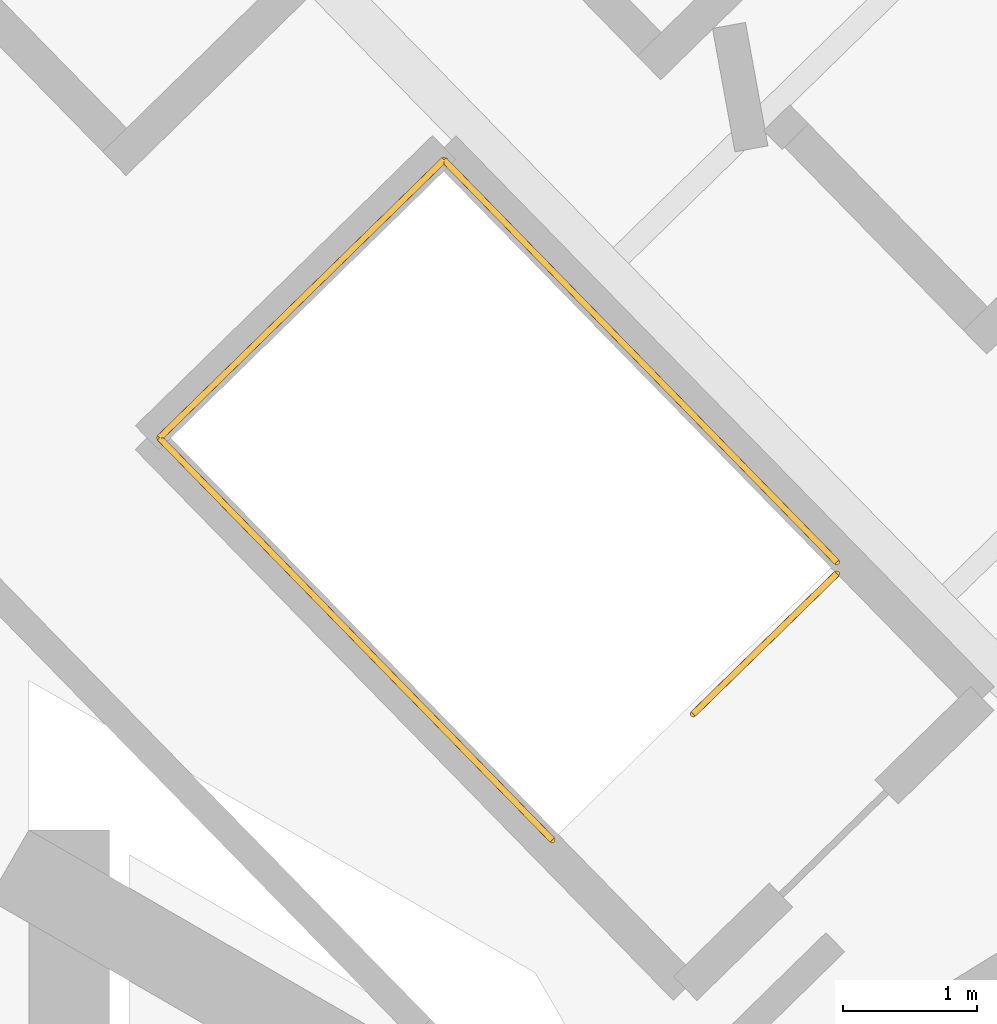
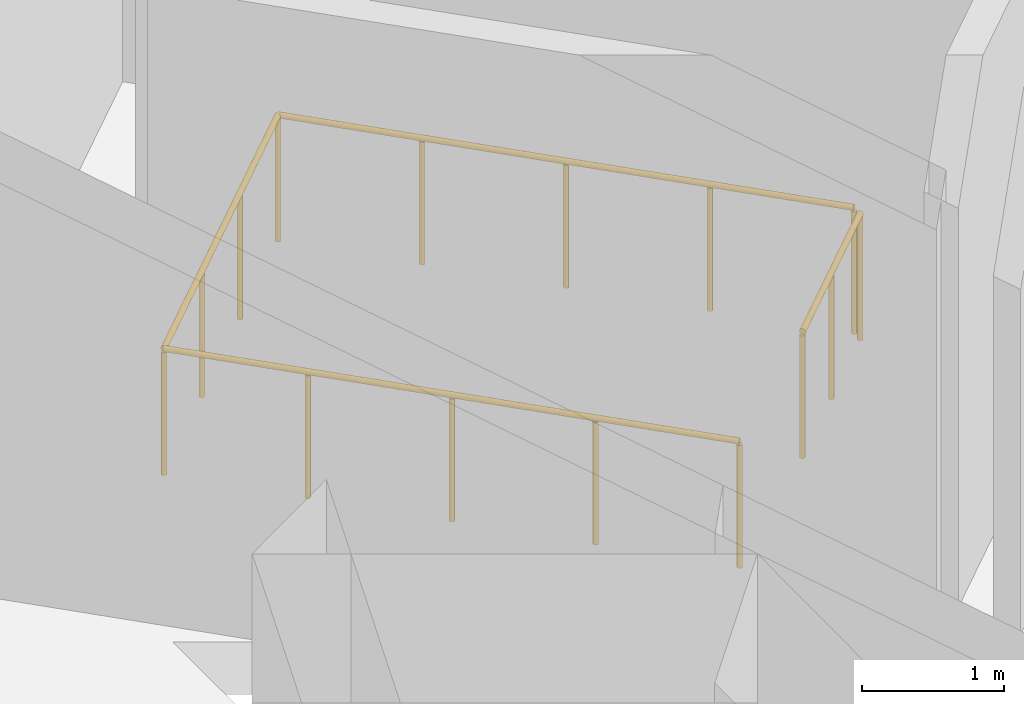
# One storey, part 20 of 20: 2 railings.
"""IFC4 building model written with IfcOpenShell, lengths in metres."""

import ifcopenshell
import ifcopenshell.guid

model = None  # the IFC model being written
_history = None  # IfcOwnerHistory: only IFC2X3 demands one
_inside = {}  # id of a spatial element -> (the spatial element, [elements in it])
_under = {}  # id of a project, library or spatial element -> (it, [spatial elements below it])
_declared = {}  # id of a project -> (the project, [libraries it declares])
_typed = {}  # id of a type object -> (the type object, [elements of that type])
_made_of = {}  # id of a material, layer set ... -> (it, [elements and type objects made of it])


def new_model(schema):
    """Start an empty IFC model of exactly this schema.

    Asked for "IFC4X3", IfcOpenShell would pick the latest addendum, in which some entities
    have other attributes; the version numbers below select the first issue.
    IFC2X3 requires an IfcOwnerHistory on every rooted entity: one is made here for all.
    """
    global model, _history
    if schema == "IFC4X3":
        model = ifcopenshell.file(schema_version=(4, 3, 0, 0))
    else:
        model = ifcopenshell.file(schema=schema)
    _inside.clear()
    _under.clear()
    _declared.clear()
    _typed.clear()
    _made_of.clear()
    _history = None
    if model.schema == "IFC2X3":
        org = make("IfcOrganization", Name="unknown")
        user = make(
            "IfcPersonAndOrganization",
            ThePerson=make("IfcPerson", FamilyName="unknown"),
            TheOrganization=org,
        )
        app = make(
            "IfcApplication",
            ApplicationDeveloper=org,
            Version="unknown",
            ApplicationFullName="unknown",
            ApplicationIdentifier="unknown",
        )
        _history = make(
            "IfcOwnerHistory",
            OwningUser=user,
            OwningApplication=app,
            ChangeAction="ADDED",
            CreationDate=0,
        )
    return model


def make(cls, **values):
    """One entity of the class cls with the attributes given. An attribute that is None is left unset."""
    return model.create_entity(
        cls, **{name: value for name, value in values.items() if value is not None}
    )


def rooted(cls, **values):
    """An entity with a GlobalId (a new one), such as an element, a storey or a relation."""
    return make(cls, GlobalId=ifcopenshell.guid.new(), OwnerHistory=_history, **values)


def si_unit(unit_type, name, prefix=None):
    """IfcSIUnit, for example si_unit("LENGTHUNIT", "METRE", prefix="MILLI")."""
    return make("IfcSIUnit", UnitType=unit_type, Prefix=prefix, Name=name)


def assignment(units):
    """IfcUnitAssignment: the units of a project."""
    return None if units is None else make("IfcUnitAssignment", Units=units)


def point(xyz):
    """IfcCartesianPoint."""
    return None if xyz is None else make("IfcCartesianPoint", Coordinates=xyz)


def direction(xyz):
    """IfcDirection."""
    return None if xyz is None else make("IfcDirection", DirectionRatios=xyz)


def frame(location, z_axis=None, x_axis=None):
    """IfcAxis2Placement3D, a coordinate frame: its origin and axes. An axis left out is left unset."""
    return make(
        "IfcAxis2Placement3D",
        Location=point(location),
        Axis=direction(z_axis),
        RefDirection=direction(x_axis),
    )


def frame_2d(location, x_axis=None):
    """IfcAxis2Placement2D, a coordinate frame in the plane: its origin and x axis."""
    return make(
        "IfcAxis2Placement2D", Location=point(location), RefDirection=direction(x_axis)
    )


def origin():
    """The frame at (0, 0, 0) with its axes left unset."""
    return frame((0.0, 0.0, 0.0))


def origin_2d():
    """The frame at (0, 0) in the plane with its x axis left unset."""
    return frame_2d((0.0, 0.0))


def place(relative_to, where):
    """IfcLocalPlacement: puts the frame where relative to a parent placement (None: the world)."""
    return make(
        "IfcLocalPlacement", PlacementRelTo=relative_to, RelativePlacement=where
    )


def context(
    kind, dimensions, precision=None, world=None, true_north=None, identifier=None
):
    """IfcGeometricRepresentationContext, for example the 3D "Model" context."""
    return make(
        "IfcGeometricRepresentationContext",
        ContextIdentifier=identifier,
        ContextType=kind,
        CoordinateSpaceDimension=dimensions,
        Precision=precision,
        WorldCoordinateSystem=world,
        TrueNorth=true_north,
    )


def subcontext(parent, identifier, kind, view, scale=None):
    """IfcGeometricRepresentationSubContext, for example "Body" below "Model"."""
    return make(
        "IfcGeometricRepresentationSubContext",
        ContextIdentifier=identifier,
        ContextType=kind,
        ParentContext=parent,
        TargetScale=scale,
        TargetView=view,
    )


def project(units=None, contexts=None):
    """IfcProject with its units and contexts."""
    return rooted(
        "IfcProject",
        Name="project",
        RepresentationContexts=contexts,
        UnitsInContext=assignment(units),
    )


def spatial(cls, under=None, at=None, **own):
    """A site, building, storey or space (cls), placed at a placement, below another one or the project."""
    s = rooted(cls, ObjectPlacement=at, **own)
    if under is not None:
        _under.setdefault(under.id(), (under, []))[1].append(s)
    return s


def profile(cls, at=None, kind="AREA", **sizes):
    """A parametric profile (cls). Its sizes go by their IFC names, for example OverallWidth=200.0."""
    return make(cls, ProfileType=kind, Position=at, **sizes)


def circle(**sizes):
    """IfcCircleProfileDef."""
    return profile("IfcCircleProfileDef", **sizes)


def extrude(swept, where, along, depth):
    """IfcExtrudedAreaSolid: the profile swept, set in the frame where, extruded along a direction by depth."""
    return make(
        "IfcExtrudedAreaSolid",
        SweptArea=swept,
        Position=where,
        ExtrudedDirection=direction(along),
        Depth=depth,
    )


def shape(context_of_items, identifier, shape_type, items):
    """IfcShapeRepresentation: the items that make up one representation, for example the "Body"."""
    return make(
        "IfcShapeRepresentation",
        ContextOfItems=context_of_items,
        RepresentationIdentifier=identifier,
        RepresentationType=shape_type,
        Items=items,
    )


def material(Name=None, Category=None):
    """IfcMaterial."""
    return make("IfcMaterial", Name=Name, Category=Category)


def made_of(thing, what):
    """Note that an element or type object is made of a material, layer set ...; save() writes the relation."""
    if what is not None:
        _made_of.setdefault(what.id(), (what, []))[1].append(thing)
    return thing


def type_object(cls, material=None, **own):
    """A type object (cls), such as IfcWallType, which elements share."""
    return made_of(rooted(cls, **own), material)


def element(
    cls,
    number,
    at=None,
    inside=None,
    cuts=None,
    type_object=None,
    material=None,
    context=None,
    identifier="Body",
    shape_type=None,
    held_by="IfcProductDefinitionShape",
    body=None,
    shapes=None,
    **own,
):
    """One element of the class cls, such as IfcWall. Its Tag is "e" and its number.

    at: its placement. inside: the storey or other place that contains it. cuts: it is an
    opening in that element (IfcRelVoidsElement). A single representation is given by context,
    identifier, shape_type and body (its items); several are given by shapes. held_by: the class
    of the entity that holds the representations. save() writes the other relations.
    """
    e = rooted(cls, Tag="e%d" % number, ObjectPlacement=at, **own)
    if body is not None:
        shapes = [shape(context, identifier, shape_type, body)]
    if shapes is not None:
        e.Representation = make(held_by, Representations=shapes)
    if inside is not None:
        _inside.setdefault(inside.id(), (inside, []))[1].append(e)
    if cuts is not None:
        rooted(
            "IfcRelVoidsElement", RelatingBuildingElement=cuts, RelatedOpeningElement=e
        )
    if type_object is not None:
        _typed.setdefault(type_object.id(), (type_object, []))[1].append(e)
    return made_of(e, material)


def aggregate(whole, parts):
    """IfcRelAggregates: a whole, such as a stair, and the parts it consists of."""
    return rooted("IfcRelAggregates", RelatingObject=whole, RelatedObjects=parts)


def save(model, path):
    """Write the relations noted so far, then the file.

    IfcRelAggregates (storeys below a building ...), IfcRelContainedInSpatialStructure (elements
    in a storey), IfcRelDefinesByType, IfcRelAssociatesMaterial and IfcRelDeclares: one each for
    every whole, place, type object, material and project.
    """
    for whole, parts in _under.values():
        aggregate(whole, parts)
    for where, things in _inside.values():
        rooted(
            "IfcRelContainedInSpatialStructure",
            RelatedElements=things,
            RelatingStructure=where,
        )
    for kind, things in _typed.values():
        rooted("IfcRelDefinesByType", RelatedObjects=things, RelatingType=kind)
    for what, things in _made_of.values():
        rooted("IfcRelAssociatesMaterial", RelatedObjects=things, RelatingMaterial=what)
    for by, libraries in _declared.values():
        rooted("IfcRelDeclares", RelatingContext=by, RelatedDefinitions=libraries)
    model.write(path)


model = new_model("IFC4")

# Units and contexts
model_context = context("Model", 3, precision=1e-05, world=origin(), true_north=direction((0.0, 1.0)))
body_context = subcontext(model_context, "Body", "Model", "MODEL_VIEW")
ifc_project = project(units=[si_unit("LENGTHUNIT", "METRE"), si_unit("AREAUNIT", "SQUARE_METRE"), si_unit("VOLUMEUNIT", "CUBIC_METRE"), si_unit("PLANEANGLEUNIT", "RADIAN"), si_unit("MASSUNIT", "GRAM", prefix="KILO")], contexts=[model_context])

# Site, building, storey
site_placement = place(None, origin())
site = spatial("IfcSite", under=ifc_project, at=site_placement, CompositionType="ELEMENT")
building_placement = place(site_placement, origin())
building = spatial("IfcBuilding", under=site, at=building_placement, Name="Cantera Rosa Tower", CompositionType="ELEMENT")
storey_placement = place(building_placement, frame((0.0, 0.0, 245.0)))
storey = spatial("IfcBuildingStorey", under=building, at=storey_placement, Name="L54", CompositionType="ELEMENT", Elevation=245.0)

# Railings
ifc_material = material(Name="Steel S355J2 (EN 10025-2)", Category="steel")
railing_type = type_object("IfcRailingType", Name="STAIR GUARD 1100", PredefinedType="GUARDRAIL", material=ifc_material)
railing_1_placement = place(storey_placement, frame((10.032470703125, 10.7587890625, 0.0)))
element("IfcRailing", 1, at=railing_1_placement, inside=storey, type_object=railing_type, Name="L54 ST-42 top well guard 1", PredefinedType="GUARDRAIL", context=body_context, shape_type="SweptSolid", body=[
    extrude(circle(Radius=0.02392578125, at=origin_2d()), frame((0.0, 0.0, 1.076171875), z_axis=(-0.71519829713, -0.698921594874, 0.0), x_axis=(0.698921594874, -0.71519829713, 0.0)), (0.0, 0.0, 1.0), 1.5),
    extrude(circle(Radius=0.02099609375, at=origin_2d()), origin(), (0.0, 0.0, 1.0), 1.052001953125),
    extrude(circle(Radius=0.02099609375, at=origin_2d()), frame((-0.536376953125, -0.524169921875, 0.0)), (0.0, 0.0, 1.0), 1.052001953125),
    extrude(circle(Radius=0.02099609375, at=origin_2d()), frame((-1.07275390625, -1.04833984375, 0.0)), (0.0, 0.0, 1.0), 1.052001953125),
])
railing_2_placement = place(storey_placement, frame((10.0322265625, 10.844970703125, 0.0)))
element("IfcRailing", 2, at=railing_2_placement, inside=storey, type_object=railing_type, Name="L54 ST-42 top well guard 2", PredefinedType="GUARDRAIL", context=body_context, shape_type="SweptSolid", body=[
    extrude(circle(Radius=0.02392578125, at=origin_2d()), frame((0.0, 0.0, 1.076171875), z_axis=(-0.698859254364, 0.715259213566, 0.0), x_axis=(-0.715259213566, -0.698859254364, 0.0)), (0.0, 0.0, 1.0), 4.197998046875),
    extrude(circle(Radius=0.02392578125, at=origin_2d()), frame((-2.933837890625, 3.002685546875, 1.076171875), z_axis=(-0.715279654138, -0.698838333505, 0.0), x_axis=(0.698838333505, -0.715279654138, 0.0)), (0.0, 0.0, 1.0), 2.9697265625),
    extrude(circle(Radius=0.02392578125, at=origin_2d()), frame((-5.05810546875, 0.92724609375, 1.076171875), z_axis=(0.698829500247, -0.715288284249, 0.0), x_axis=(0.715288284249, 0.698829500247, 0.0)), (0.0, 0.0, 1.0), 4.19775390625),
    extrude(circle(Radius=0.02099609375, at=origin_2d()), origin(), (0.0, 0.0, 1.0), 1.052001953125),
    extrude(circle(Radius=0.02099609375, at=origin_2d()), frame((-0.7333984375, 0.750732421875, 0.0)), (0.0, 0.0, 1.0), 1.052001953125),
    extrude(circle(Radius=0.02099609375, at=origin_2d()), frame((-1.466796875, 1.50146484375, 0.0)), (0.0, 0.0, 1.0), 1.052001953125),
    extrude(circle(Radius=0.02099609375, at=origin_2d()), frame((-2.200439453125, 2.251953125, 0.0)), (0.0, 0.0, 1.0), 1.052001953125),
    extrude(circle(Radius=0.02099609375, at=origin_2d()), frame((-2.933837890625, 3.002685546875, 0.0)), (0.0, 0.0, 1.0), 1.052001953125),
    extrude(circle(Radius=0.02099609375, at=origin_2d()), frame((-3.641845703125, 2.310791015625, 0.0)), (0.0, 0.0, 1.0), 1.052001953125),
    extrude(circle(Radius=0.02099609375, at=origin_2d()), frame((-4.35009765625, 1.619140625, 0.0)), (0.0, 0.0, 1.0), 1.052001953125),
    extrude(circle(Radius=0.02099609375, at=origin_2d()), frame((-5.05810546875, 0.92724609375, 0.0)), (0.0, 0.0, 1.0), 1.052001953125),
    extrude(circle(Radius=0.02099609375, at=origin_2d()), frame((-4.32470703125, 0.176513671875, 0.0)), (0.0, 0.0, 1.0), 1.052001953125),
    extrude(circle(Radius=0.02099609375, at=origin_2d()), frame((-3.59130859375, -0.57421875, 0.0)), (0.0, 0.0, 1.0), 1.052001953125),
    extrude(circle(Radius=0.02099609375, at=origin_2d()), frame((-2.85791015625, -1.32470703125, 0.0)), (0.0, 0.0, 1.0), 1.052001953125),
    extrude(circle(Radius=0.02099609375, at=origin_2d()), frame((-2.12451171875, -2.075439453125, 0.0)), (0.0, 0.0, 1.0), 1.052001953125),
])

save(model, "model.ifc")
